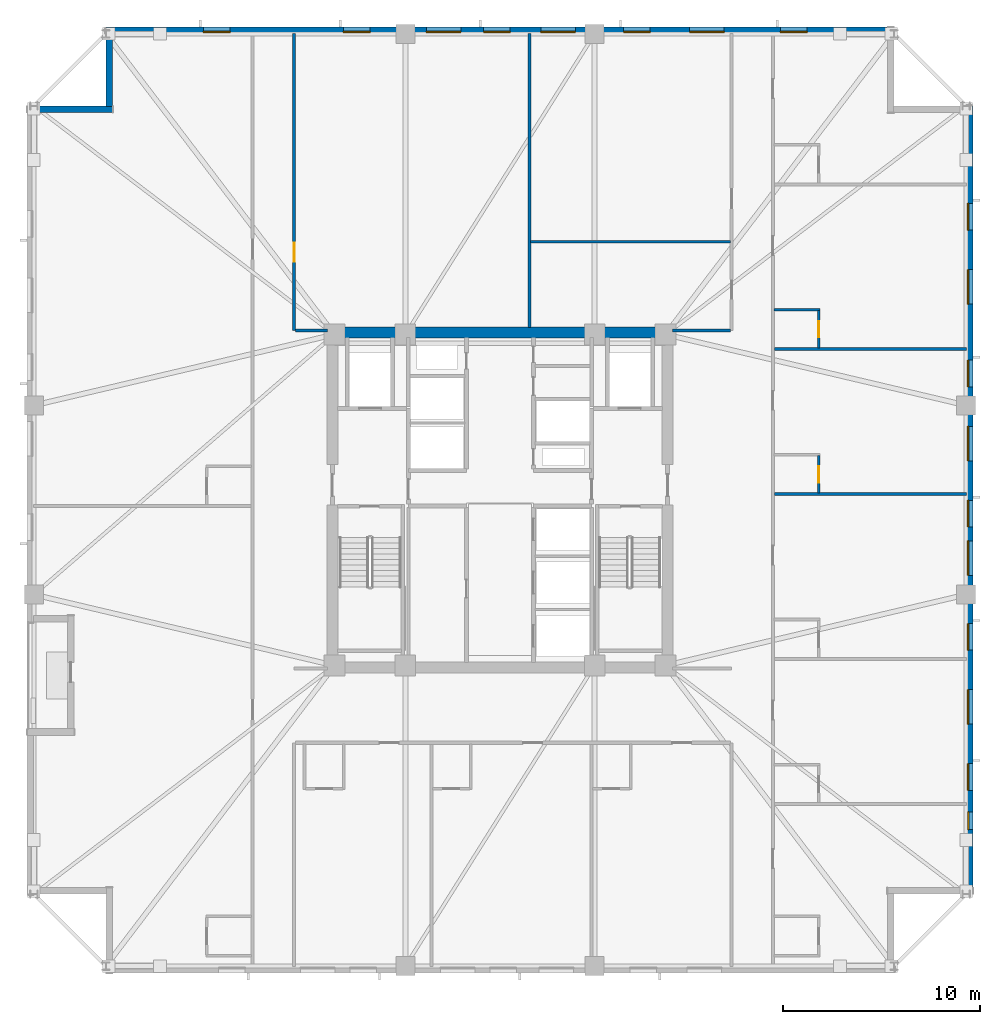
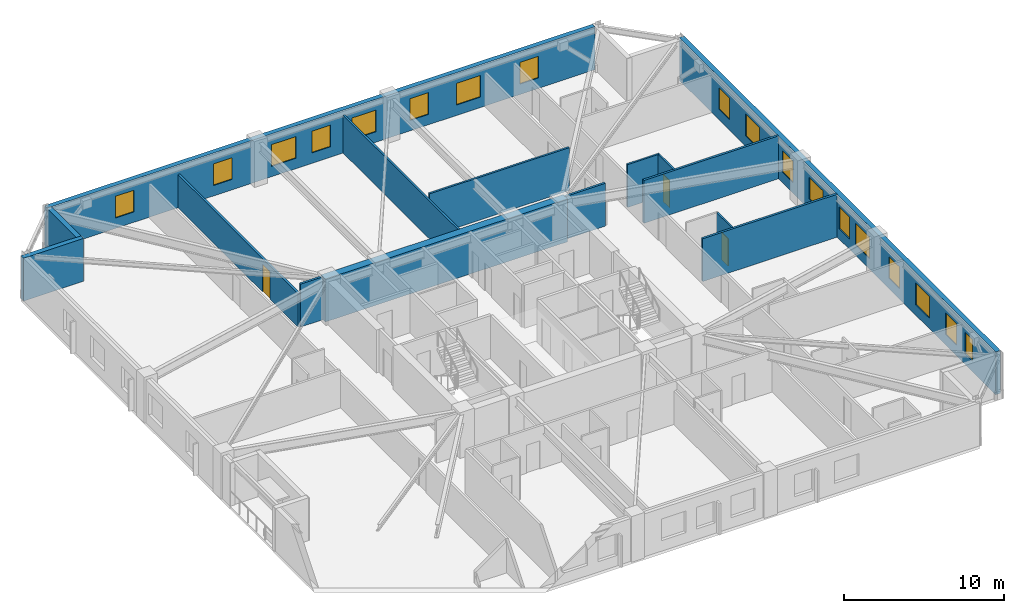
# One storey, part 5 of 11: 18 windows, 15 walls, 3 doors, 21 openings.
"""IFC4 building model written with IfcOpenShell, lengths in metres."""

from ifc_helpers import new_model, si_unit, direction, frame, frame_2d, origin, place, context, subcontext, project, spatial, rectangle, extrude, material, layer, layer_set, type_object, element, fill, save


model = new_model("IFC4")

# Units and contexts
model_context = context("Model", 3, precision=1e-05, world=origin(), true_north=direction((0.0, 1.0)))
body_context = subcontext(model_context, "Body", "Model", "MODEL_VIEW")
ifc_project = project(units=[si_unit("LENGTHUNIT", "METRE"), si_unit("AREAUNIT", "SQUARE_METRE"), si_unit("VOLUMEUNIT", "CUBIC_METRE"), si_unit("PLANEANGLEUNIT", "RADIAN"), si_unit("MASSUNIT", "GRAM", prefix="KILO")], contexts=[model_context])

# Site, building, storey
site_placement = place(None, origin())
site = spatial("IfcSite", under=ifc_project, at=site_placement, CompositionType="ELEMENT")
building_placement = place(site_placement, origin())
building = spatial("IfcBuilding", under=site, at=building_placement, Name="Cairnveth Concourse Tower", CompositionType="ELEMENT")
storey_placement = place(building_placement, frame((0.0, 0.0, 134.0)))
storey = spatial("IfcBuildingStorey", under=building, at=storey_placement, Name="L36", CompositionType="ELEMENT", Elevation=134.0)

# Wall, opening, door
ifc_material_1 = material(Name="Gypsum Plasterboard Partition", Category="gypsum")
ifc_layer_1 = layer(ifc_material_1, 0.159912109375)
ifc_layer_set_1 = layer_set([ifc_layer_1], Name="Gypsum Plasterboard Partition")
wall_type_1 = type_object("IfcWallType", Name="ACOUSTIC PARTY WALL 180", PredefinedType="PARTITIONING", material=ifc_layer_set_1)
wall_1_placement = place(storey_placement, frame((41.550048828125, 47.60009765625, 0.0), z_axis=(0.0, 0.0, 1.0), x_axis=(0.0, 1.0, 0.0)))
wall_1 = element("IfcWall", 1, at=wall_1_placement, inside=storey, type_object=wall_type_1, Name="Interior Wall IW-L36-038", PredefinedType="PARTITIONING", context=body_context, shape_type="SweptSolid", body=[
    extrude(rectangle(XDim=15.074951171875, YDim=0.159912109375, at=frame_2d((7.53759765625, 0.0))), origin(), (0.0, 0.0, 1.0), 2.554931640625),
])
opening_1_placement = place(wall_1_placement, frame((3.5, 0.0, 0.0)))
opening_1 = element("IfcOpeningElement", 2, at=opening_1_placement, cuts=wall_1, Name="Opening ID11", PredefinedType="OPENING", context=body_context, shape_type="SweptSolid", body=[
    extrude(rectangle(XDim=0.9599609375, YDim=2.1201171875, at=frame_2d((0.47998046875, 1.06005859375))), frame((0.0, 0.08984375, 0.0), z_axis=(0.0, -1.0, 0.0), x_axis=(1.0, 0.0, 0.0)), (0.0, 0.0, 1.0), 0.179931640625),
])
ifc_material_2 = material(Name="Solid Core Hardwood Timber Leaf", Category="wood")
door_type_1 = type_object("IfcDoorType", Name="INTERIOR SINGLE DOOR 960X2150", OperationType="NOTDEFINED", PredefinedType="DOOR", material=ifc_material_2)
door_1_placement = place(opening_1_placement, origin())
door_1 = element("IfcDoor", 3, at=door_1_placement, inside=storey, type_object=door_type_1, Name="Interior Door DR-L36-015", OperationType="SINGLE_SWING_LEFT", OverallHeight=2.1201171875, OverallWidth=0.9599609375, PredefinedType="DOOR", context=body_context, shape_type="SweptSolid", body=[
    extrude(rectangle(XDim=0.9599609375, YDim=2.1201171875, at=frame_2d((0.47998046875, 1.06005859375))), frame((0.0, 0.02490234375, 0.0), z_axis=(0.0, -1.0, 0.0), x_axis=(1.0, 0.0, 0.0)), (0.0, 0.0, 1.0), 0.050048828125),
])
fill(opening_1, door_1)

# Walls
wall_2_placement = place(storey_placement, frame((41.614990234375, 47.60009765625, 0.0), z_axis=(0.0, 0.0, 1.0), x_axis=(1.0, 0.0, 0.0)))
element("IfcWall", 4, at=wall_2_placement, inside=storey, type_object=wall_type_1, Name="Interior Wall IW-L36-040", PredefinedType="PARTITIONING", context=body_context, shape_type="SweptSolid", body=[
    extrude(rectangle(XDim=1.6201171875, YDim=0.159912109375, at=frame_2d((0.81005859375, 0.0))), origin(), (0.0, 0.0, 1.0), 3.280029296875),
])
wall_3_placement = place(storey_placement, frame((60.764892578125, 47.60009765625, 0.0), z_axis=(0.0, 0.0, 1.0), x_axis=(1.0, 0.0, 0.0)))
element("IfcWall", 5, at=wall_3_placement, inside=storey, type_object=wall_type_1, Name="Interior Wall IW-L36-045", PredefinedType="PARTITIONING", context=body_context, shape_type="SweptSolid", body=[
    extrude(rectangle(XDim=2.920166015625, YDim=0.159912109375, at=frame_2d((1.4599609375, 0.0))), origin(), (0.0, 0.0, 1.0), 3.280029296875),
])
for number, where, z_axis, x_axis, name in (
    (6, (65.929931640625, 39.295654296875, 0.0), (0.0, 0.0, 1.0), (1.0, 0.0, 0.0), "Interior Wall IW-L36-073"),
    (7, (65.929931640625, 46.6552734375, 0.0), (0.0, 0.0, 1.0), (1.0, 0.0, 0.0), "Interior Wall IW-L36-076"),
):
    element("IfcWall", number, at=place(storey_placement, frame(where, z_axis=z_axis, x_axis=x_axis)), inside=storey, type_object=wall_type_1, Name=name, PredefinedType="PARTITIONING", context=body_context, shape_type="SweptSolid", body=[
        extrude(rectangle(XDim=9.7451171875, YDim=0.159912109375, at=frame_2d((4.87255859375, 0.0))), origin(), (0.0, 0.0, 1.0), 3.280029296875),
    ])
ifc_material_3 = material(Name="Concrete N80 (80 MPa)", Category="concrete")
ifc_layer_2 = layer(ifc_material_3, 0.550048828125)
ifc_layer_set_2 = layer_set([ifc_layer_2], Name="Concrete N80 (80 MPa)")
wall_type_2 = type_object("IfcWallType", Name="CORE SHEAR WALL 550", PredefinedType="SHEAR", material=ifc_layer_set_2)
wall_4_placement = place(storey_placement, frame((43.22509765625, 47.5, 0.0), z_axis=(0.0, 0.0, 1.0), x_axis=(1.0, 0.0, 0.0)))
element("IfcWall", 8, at=wall_4_placement, inside=storey, type_object=wall_type_2, Name="Core North Shear Wall L36", PredefinedType="SHEAR", context=body_context, shape_type="SweptSolid", body=[
    extrude(rectangle(XDim=17.5498046875, YDim=0.550048828125, at=frame_2d((8.77490234375, 0.0))), origin(), (0.0, 0.0, 1.0), 3.280029296875),
])
ifc_layer_3 = layer(ifc_material_1, 0.139892578125)
ifc_layer_set_3 = layer_set([ifc_layer_3], Name="Gypsum Plasterboard Partition")
wall_type_3 = type_object("IfcWallType", Name="GYPSUM STUD PARTITION 140", PredefinedType="PARTITIONING", material=ifc_layer_set_3)
wall_5_placement = place(storey_placement, frame((53.5, 47.760009765625, 0.0), z_axis=(0.0, 0.0, 1.0), x_axis=(0.0, 1.0, 0.0)))
element("IfcWall", 9, at=wall_5_placement, inside=storey, type_object=wall_type_3, Name="Interior Wall IW-L36-047", PredefinedType="PARTITIONING", context=body_context, shape_type="SweptSolid", body=[
    extrude(rectangle(XDim=14.9150390625, YDim=0.139892578125, at=frame_2d((7.45751953125, 0.0))), origin(), (0.0, 0.0, 1.0), 2.89599609375),
])
wall_6_placement = place(storey_placement, frame((53.554931640625, 52.10009765625, 0.0), z_axis=(0.0, 0.0, 1.0), x_axis=(1.0, 0.0, 0.0)))
element("IfcWall", 10, at=wall_6_placement, inside=storey, type_object=wall_type_3, Name="Interior Wall IW-L36-048", PredefinedType="PARTITIONING", context=body_context, shape_type="SweptSolid", body=[
    extrude(rectangle(XDim=10.130126953125, YDim=0.139892578125, at=frame_2d((5.06494140625, 0.0))), origin(), (0.0, 0.0, 1.0), 3.280029296875),
])

# Wall, opening, door
ifc_layer_4 = layer(ifc_material_1, 0.1298828125)
ifc_layer_set_4 = layer_set([ifc_layer_4], Name="Gypsum Plasterboard Partition")
wall_type_4 = type_object("IfcWallType", Name="WET AREA PARTITION 140", PredefinedType="PLUMBINGWALL", material=ifc_layer_set_4)
wall_7_placement = place(storey_placement, frame((68.179931640625, 39.360595703125, 0.0), z_axis=(0.0, 0.0, 1.0), x_axis=(0.0, 1.0, 0.0)))
wall_7 = element("IfcWall", 11, at=wall_7_placement, inside=storey, type_object=wall_type_4, Name="Interior Wall IW-L36-075", PredefinedType="PLUMBINGWALL", context=body_context, shape_type="SweptSolid", body=[
    extrude(rectangle(XDim=1.885009765625, YDim=0.1298828125, at=frame_2d((0.9423828125, 0.0))), origin(), (0.0, 0.0, 1.0), 3.280029296875),
])
opening_2_placement = place(wall_7_placement, frame((0.52490234375, 0.0, 0.0)))
opening_2 = element("IfcOpeningElement", 12, at=opening_2_placement, cuts=wall_7, Name="Opening ID22", PredefinedType="OPENING", context=body_context, shape_type="SweptSolid", body=[
    extrude(rectangle(XDim=0.820068359375, YDim=2.10009765625, at=frame_2d((0.41015625, 1.050048828125))), frame((0.0, 0.074951171875, 0.0), z_axis=(0.0, -1.0, 0.0), x_axis=(1.0, 0.0, 0.0)), (0.0, 0.0, 1.0), 0.14990234375),
])
door_type_2 = type_object("IfcDoorType", Name="INTERIOR WC DOOR 820X2100", OperationType="NOTDEFINED", PredefinedType="DOOR", material=ifc_material_2)
door_2_placement = place(opening_2_placement, origin())
door_2 = element("IfcDoor", 13, at=door_2_placement, inside=storey, type_object=door_type_2, Name="En-Suite Door L36-E4", OperationType="SINGLE_SWING_RIGHT", OverallHeight=2.10009765625, OverallWidth=0.820068359375, PredefinedType="DOOR", context=body_context, shape_type="SweptSolid", body=[
    extrude(rectangle(XDim=0.820068359375, YDim=2.10009765625, at=frame_2d((0.41015625, 1.050048828125))), frame((0.0, 0.02490234375, 0.0), z_axis=(0.0, -1.0, 0.0), x_axis=(1.0, 0.0, 0.0)), (0.0, 0.0, 1.0), 0.050048828125),
])
fill(opening_2, door_2)

# Wall
wall_8_placement = place(storey_placement, frame((65.9150390625, 48.6552734375, 0.0), z_axis=(0.0, 0.0, 1.0), x_axis=(1.0, 0.0, 0.0)))
element("IfcWall", 14, at=wall_8_placement, inside=storey, type_object=wall_type_4, Name="Interior Wall IW-L36-077", PredefinedType="PLUMBINGWALL", context=body_context, shape_type="SweptSolid", body=[
    extrude(rectangle(XDim=2.31494140625, YDim=0.1298828125, at=frame_2d((1.157470703125, 0.0))), origin(), (0.0, 0.0, 1.0), 3.280029296875),
])

# Wall, opening, door
wall_9_placement = place(storey_placement, frame((68.179931640625, 46.72021484375, 0.0), z_axis=(0.0, 0.0, 1.0), x_axis=(0.0, 1.0, 0.0)))
wall_9 = element("IfcWall", 15, at=wall_9_placement, inside=storey, type_object=wall_type_4, Name="Interior Wall IW-L36-078", PredefinedType="PLUMBINGWALL", context=body_context, shape_type="SweptSolid", body=[
    extrude(rectangle(XDim=1.885009765625, YDim=0.1298828125, at=frame_2d((0.9423828125, 0.0))), origin(), (0.0, 0.0, 1.0), 3.280029296875),
])
opening_3_placement = place(wall_9_placement, frame((0.52490234375, 0.0, 0.0)))
opening_3 = element("IfcOpeningElement", 16, at=opening_3_placement, cuts=wall_9, Name="Opening ID22", PredefinedType="OPENING", context=body_context, shape_type="SweptSolid", body=[
    extrude(rectangle(XDim=0.820068359375, YDim=2.10009765625, at=frame_2d((0.41015625, 1.050048828125))), frame((0.0, 0.074951171875, 0.0), z_axis=(0.0, -1.0, 0.0), x_axis=(1.0, 0.0, 0.0)), (0.0, 0.0, 1.0), 0.14990234375),
])
door_3_placement = place(opening_3_placement, origin())
door_3 = element("IfcDoor", 17, at=door_3_placement, inside=storey, type_object=door_type_2, Name="En-Suite Door L36-E5", OperationType="SINGLE_SWING_RIGHT", OverallHeight=2.10009765625, OverallWidth=0.820068359375, PredefinedType="DOOR", context=body_context, shape_type="SweptSolid", body=[
    extrude(rectangle(XDim=0.820068359375, YDim=2.10009765625, at=frame_2d((0.41015625, 1.050048828125))), frame((0.0, 0.02490234375, 0.0), z_axis=(0.0, -1.0, 0.0), x_axis=(1.0, 0.0, 0.0)), (0.0, 0.0, 1.0), 0.050048828125),
])
fill(opening_3, door_3)

# Walls
ifc_material_4 = material(Name="Hawthorn Red-Ochre Fired Clay Brick Masonry", Category="masonry")
ifc_layer_5 = layer(ifc_material_4, 0.340087890625)
ifc_layer_set_5 = layer_set([ifc_layer_5], Name="Hawthorn Red-Ochre Fired Clay Brick Masonry")
wall_type_5 = type_object("IfcWallType", Name="ZONE 2 BRICK PIER SPANDREL WALL 340", PredefinedType="SOLIDWALL", material=ifc_layer_set_5)
wall_10_placement = place(storey_placement, frame((28.0, 58.830078125, 0.0), z_axis=(0.0, 0.0, 1.0), x_axis=(1.0, 0.0, 0.0)))
element("IfcWall", 18, at=wall_10_placement, inside=storey, type_object=wall_type_5, Name="Exterior Wall EW-L36-S01", PredefinedType="SOLIDWALL", context=body_context, shape_type="SweptSolid", body=[
    extrude(rectangle(XDim=4.340087890625, YDim=0.340087890625, at=frame_2d((2.169921875, 0.0))), origin(), (0.0, 0.0, 1.0), 3.280029296875),
])
wall_11_placement = place(storey_placement, frame((32.169921875, 58.97802734375, 0.0), z_axis=(0.0, 0.0, 1.0), x_axis=(0.0, 1.0, 0.0)))
element("IfcWall", 19, at=wall_11_placement, inside=storey, type_object=wall_type_5, Name="Exterior Wall EW-L36-S02", PredefinedType="SOLIDWALL", context=body_context, shape_type="SweptSolid", body=[
    extrude(rectangle(XDim=3.703857421875, YDim=0.340087890625, at=frame_2d((1.85205078125, 0.0))), origin(), (0.0, 0.0, 1.0), 3.280029296875),
])

# Wall, openings, windows
wall_12_placement = place(storey_placement, frame((32.0, 62.830078125, 0.0), z_axis=(0.0, 0.0, 1.0), x_axis=(1.0, 0.0, 0.0)))
wall_12 = element("IfcWall", 20, at=wall_12_placement, inside=storey, type_object=wall_type_5, Name="Exterior Wall EW-L36-S03", PredefinedType="SOLIDWALL", context=body_context, shape_type="SweptSolid", body=[
    extrude(rectangle(XDim=39.681884765625, YDim=0.340087890625, at=frame_2d((19.8408203125, 0.0))), origin(), (0.0, 0.0, 1.0), 3.280029296875),
])
opening_4_placement = place(wall_12_placement, frame((4.951904296875, 0.0, 0.800048828125)))
opening_4 = element("IfcOpeningElement", 21, at=opening_4_placement, cuts=wall_12, Name="Opening W02", PredefinedType="OPENING", context=body_context, shape_type="SweptSolid", body=[
    extrude(rectangle(XDim=1.35009765625, YDim=1.659912109375, at=frame_2d((0.675048828125, 0.830078125))), frame((0.0, 0.179931640625, 0.0), z_axis=(0.0, -1.0, 0.0), x_axis=(1.0, 0.0, 0.0)), (0.0, 0.0, 1.0), 0.360107421875),
])
opening_5_placement = place(wall_12_placement, frame((12.058837890625, 0.0, 0.800048828125)))
opening_5 = element("IfcOpeningElement", 22, at=opening_5_placement, cuts=wall_12, Name="Opening W02", PredefinedType="OPENING", context=body_context, shape_type="SweptSolid", body=[
    extrude(rectangle(XDim=1.35009765625, YDim=1.659912109375, at=frame_2d((0.675048828125, 0.830078125))), frame((0.0, 0.179931640625, 0.0), z_axis=(0.0, -1.0, 0.0), x_axis=(1.0, 0.0, 0.0)), (0.0, 0.0, 1.0), 0.360107421875),
])
opening_6_placement = place(wall_12_placement, frame((16.262451171875, 0.0, 0.800048828125)))
opening_6 = element("IfcOpeningElement", 23, at=opening_6_placement, cuts=wall_12, Name="Opening W06", PredefinedType="OPENING", context=body_context, shape_type="SweptSolid", body=[
    extrude(rectangle(XDim=1.75, YDim=1.659912109375, at=frame_2d((0.875, 0.830078125))), frame((0.0, 0.179931640625, 0.0), z_axis=(0.0, -1.0, 0.0), x_axis=(1.0, 0.0, 0.0)), (0.0, 0.0, 1.0), 0.360107421875),
])
opening_7_placement = place(wall_12_placement, frame((19.166015625, 0.0, 0.800048828125)))
opening_7 = element("IfcOpeningElement", 24, at=opening_7_placement, cuts=wall_12, Name="Opening W02", PredefinedType="OPENING", context=body_context, shape_type="SweptSolid", body=[
    extrude(rectangle(XDim=1.35009765625, YDim=1.659912109375, at=frame_2d((0.675048828125, 0.830078125))), frame((0.0, 0.179931640625, 0.0), z_axis=(0.0, -1.0, 0.0), x_axis=(1.0, 0.0, 0.0)), (0.0, 0.0, 1.0), 0.360107421875),
])
opening_8_placement = place(wall_12_placement, frame((22.069580078125, 0.0, 0.800048828125)))
opening_8 = element("IfcOpeningElement", 25, at=opening_8_placement, cuts=wall_12, Name="Opening W06", PredefinedType="OPENING", context=body_context, shape_type="SweptSolid", body=[
    extrude(rectangle(XDim=1.75, YDim=1.659912109375, at=frame_2d((0.875, 0.830078125))), frame((0.0, 0.179931640625, 0.0), z_axis=(0.0, -1.0, 0.0), x_axis=(1.0, 0.0, 0.0)), (0.0, 0.0, 1.0), 0.360107421875),
])
opening_9_placement = place(wall_12_placement, frame((26.273193359375, 0.0, 0.800048828125)))
opening_9 = element("IfcOpeningElement", 26, at=opening_9_placement, cuts=wall_12, Name="Opening W02", PredefinedType="OPENING", context=body_context, shape_type="SweptSolid", body=[
    extrude(rectangle(XDim=1.35009765625, YDim=1.659912109375, at=frame_2d((0.675048828125, 0.830078125))), frame((0.0, 0.179931640625, 0.0), z_axis=(0.0, -1.0, 0.0), x_axis=(1.0, 0.0, 0.0)), (0.0, 0.0, 1.0), 0.360107421875),
])
opening_10_placement = place(wall_12_placement, frame((29.626708984375, 0.0, 0.800048828125)))
opening_10 = element("IfcOpeningElement", 27, at=opening_10_placement, cuts=wall_12, Name="Opening W06", PredefinedType="OPENING", context=body_context, shape_type="SweptSolid", body=[
    extrude(rectangle(XDim=1.75, YDim=1.659912109375, at=frame_2d((0.875, 0.830078125))), frame((0.0, 0.179931640625, 0.0), z_axis=(0.0, -1.0, 0.0), x_axis=(1.0, 0.0, 0.0)), (0.0, 0.0, 1.0), 0.360107421875),
])
opening_11_placement = place(wall_12_placement, frame((34.230224609375, 0.0, 0.800048828125)))
opening_11 = element("IfcOpeningElement", 28, at=opening_11_placement, cuts=wall_12, Name="Opening W02", PredefinedType="OPENING", context=body_context, shape_type="SweptSolid", body=[
    extrude(rectangle(XDim=1.35009765625, YDim=1.659912109375, at=frame_2d((0.675048828125, 0.830078125))), frame((0.0, 0.179931640625, 0.0), z_axis=(0.0, -1.0, 0.0), x_axis=(1.0, 0.0, 0.0)), (0.0, 0.0, 1.0), 0.360107421875),
])
ifc_material_5 = material(Name="Double Glazed Low-E Clear Glass", Category="glass")
window_type_1 = type_object("IfcWindowType", Name="DEEP-SET GOTHIC LANCET WINDOW 1350X1800", PartitioningType="DOUBLE_PANEL_VERTICAL", PredefinedType="WINDOW", material=ifc_material_5)
window_1_placement = place(opening_4_placement, origin())
window_1 = element("IfcWindow", 29, at=window_1_placement, inside=storey, type_object=window_type_1, Name="Gothic Lancet Window L36-3-1", OverallHeight=1.659912109375, OverallWidth=1.35009765625, PartitioningType="SINGLE_PANEL", PredefinedType="WINDOW", context=body_context, shape_type="SweptSolid", body=[
    extrude(rectangle(XDim=1.35009765625, YDim=1.659912109375, at=frame_2d((0.675048828125, 0.830078125))), frame((0.0, -0.050048828125, 0.0), z_axis=(0.0, -1.0, 0.0), x_axis=(1.0, 0.0, 0.0)), (0.0, 0.0, 1.0), 0.06005859375),
])
fill(opening_4, window_1)
window_2_placement = place(opening_5_placement, origin())
window_2 = element("IfcWindow", 30, at=window_2_placement, inside=storey, type_object=window_type_1, Name="Gothic Lancet Window L36-3-3", OverallHeight=1.659912109375, OverallWidth=1.35009765625, PartitioningType="SINGLE_PANEL", PredefinedType="WINDOW", context=body_context, shape_type="SweptSolid", body=[
    extrude(rectangle(XDim=1.35009765625, YDim=1.659912109375, at=frame_2d((0.675048828125, 0.830078125))), frame((0.0, -0.050048828125, 0.0), z_axis=(0.0, -1.0, 0.0), x_axis=(1.0, 0.0, 0.0)), (0.0, 0.0, 1.0), 0.06005859375),
])
fill(opening_5, window_2)
window_3_placement = place(opening_7_placement, origin())
window_3 = element("IfcWindow", 31, at=window_3_placement, inside=storey, type_object=window_type_1, Name="Gothic Lancet Window L36-3-5", OverallHeight=1.659912109375, OverallWidth=1.35009765625, PartitioningType="SINGLE_PANEL", PredefinedType="WINDOW", context=body_context, shape_type="SweptSolid", body=[
    extrude(rectangle(XDim=1.35009765625, YDim=1.659912109375, at=frame_2d((0.675048828125, 0.830078125))), frame((0.0, -0.050048828125, 0.0), z_axis=(0.0, -1.0, 0.0), x_axis=(1.0, 0.0, 0.0)), (0.0, 0.0, 1.0), 0.06005859375),
])
fill(opening_7, window_3)
window_4_placement = place(opening_9_placement, origin())
window_4 = element("IfcWindow", 32, at=window_4_placement, inside=storey, type_object=window_type_1, Name="Gothic Lancet Window L36-3-7", OverallHeight=1.659912109375, OverallWidth=1.35009765625, PartitioningType="SINGLE_PANEL", PredefinedType="WINDOW", context=body_context, shape_type="SweptSolid", body=[
    extrude(rectangle(XDim=1.35009765625, YDim=1.659912109375, at=frame_2d((0.675048828125, 0.830078125))), frame((0.0, -0.050048828125, 0.0), z_axis=(0.0, -1.0, 0.0), x_axis=(1.0, 0.0, 0.0)), (0.0, 0.0, 1.0), 0.06005859375),
])
fill(opening_9, window_4)
window_5_placement = place(opening_11_placement, origin())
window_5 = element("IfcWindow", 33, at=window_5_placement, inside=storey, type_object=window_type_1, Name="Gothic Lancet Window L36-3-9", OverallHeight=1.659912109375, OverallWidth=1.35009765625, PartitioningType="SINGLE_PANEL", PredefinedType="WINDOW", context=body_context, shape_type="SweptSolid", body=[
    extrude(rectangle(XDim=1.35009765625, YDim=1.659912109375, at=frame_2d((0.675048828125, 0.830078125))), frame((0.0, -0.050048828125, 0.0), z_axis=(0.0, -1.0, 0.0), x_axis=(1.0, 0.0, 0.0)), (0.0, 0.0, 1.0), 0.06005859375),
])
fill(opening_11, window_5)
window_type_2 = type_object("IfcWindowType", Name="DEEP-SET HOTEL SUITE WINDOW 1750X1800", PartitioningType="DOUBLE_PANEL_VERTICAL", PredefinedType="WINDOW", material=ifc_material_5)
window_6_placement = place(opening_6_placement, origin())
window_6 = element("IfcWindow", 34, at=window_6_placement, inside=storey, type_object=window_type_2, Name="Gothic Lancet Window L36-3-4", OverallHeight=1.659912109375, OverallWidth=1.75, PartitioningType="SINGLE_PANEL", PredefinedType="WINDOW", context=body_context, shape_type="SweptSolid", body=[
    extrude(rectangle(XDim=1.75, YDim=1.659912109375, at=frame_2d((0.875, 0.830078125))), frame((0.0, -0.050048828125, 0.0), z_axis=(0.0, -1.0, 0.0), x_axis=(1.0, 0.0, 0.0)), (0.0, 0.0, 1.0), 0.06005859375),
])
fill(opening_6, window_6)
window_7_placement = place(opening_8_placement, origin())
window_7 = element("IfcWindow", 35, at=window_7_placement, inside=storey, type_object=window_type_2, Name="Gothic Lancet Window L36-3-6", OverallHeight=1.659912109375, OverallWidth=1.75, PartitioningType="SINGLE_PANEL", PredefinedType="WINDOW", context=body_context, shape_type="SweptSolid", body=[
    extrude(rectangle(XDim=1.75, YDim=1.659912109375, at=frame_2d((0.875, 0.830078125))), frame((0.0, -0.050048828125, 0.0), z_axis=(0.0, -1.0, 0.0), x_axis=(1.0, 0.0, 0.0)), (0.0, 0.0, 1.0), 0.06005859375),
])
fill(opening_8, window_7)
window_8_placement = place(opening_10_placement, origin())
window_8 = element("IfcWindow", 36, at=window_8_placement, inside=storey, type_object=window_type_2, Name="Gothic Lancet Window L36-3-8", OverallHeight=1.659912109375, OverallWidth=1.75, PartitioningType="SINGLE_PANEL", PredefinedType="WINDOW", context=body_context, shape_type="SweptSolid", body=[
    extrude(rectangle(XDim=1.75, YDim=1.659912109375, at=frame_2d((0.875, 0.830078125))), frame((0.0, -0.050048828125, 0.0), z_axis=(0.0, -1.0, 0.0), x_axis=(1.0, 0.0, 0.0)), (0.0, 0.0, 1.0), 0.06005859375),
])
fill(opening_10, window_8)

wall_13_placement = place(storey_placement, frame((75.830078125, 59.0, 0.0), z_axis=(0.0, 0.0, 1.0), x_axis=(0.0, -1.0, 0.0)))
wall_13 = element("IfcWall", 37, at=wall_13_placement, inside=storey, type_object=wall_type_5, Name="Exterior Wall EW-L36-S06", PredefinedType="SOLIDWALL", context=body_context, shape_type="SweptSolid", body=[
    extrude(rectangle(XDim=39.681884765625, YDim=0.340087890625, at=frame_2d((19.8408203125, 0.0))), origin(), (0.0, 0.0, 1.0), 3.280029296875),
])
opening_12_placement = place(wall_13_placement, frame((4.951904296875, 0.0, 0.800048828125)))
opening_12 = element("IfcOpeningElement", 38, at=opening_12_placement, cuts=wall_13, Name="Opening W02", PredefinedType="OPENING", context=body_context, shape_type="SweptSolid", body=[
    extrude(rectangle(XDim=1.35009765625, YDim=1.659912109375, at=frame_2d((0.675048828125, 0.830078125))), frame((0.0, 0.179931640625, 0.0), z_axis=(0.0, -1.0, 0.0), x_axis=(1.0, 0.0, 0.0)), (0.0, 0.0, 1.0), 0.360107421875),
])
opening_13_placement = place(wall_13_placement, frame((8.305419921875, 0.0, 0.800048828125)))
opening_13 = element("IfcOpeningElement", 39, at=opening_13_placement, cuts=wall_13, Name="Opening W06", PredefinedType="OPENING", context=body_context, shape_type="SweptSolid", body=[
    extrude(rectangle(XDim=1.75, YDim=1.659912109375, at=frame_2d((0.875, 0.830078125))), frame((0.0, 0.179931640625, 0.0), z_axis=(0.0, -1.0, 0.0), x_axis=(1.0, 0.0, 0.0)), (0.0, 0.0, 1.0), 0.360107421875),
])
opening_14_placement = place(wall_13_placement, frame((12.908935546875, 0.0, 0.800048828125)))
opening_14 = element("IfcOpeningElement", 40, at=opening_14_placement, cuts=wall_13, Name="Opening W02", PredefinedType="OPENING", context=body_context, shape_type="SweptSolid", body=[
    extrude(rectangle(XDim=1.35009765625, YDim=1.659912109375, at=frame_2d((0.675048828125, 0.830078125))), frame((0.0, 0.179931640625, 0.0), z_axis=(0.0, -1.0, 0.0), x_axis=(1.0, 0.0, 0.0)), (0.0, 0.0, 1.0), 0.360107421875),
])
opening_15_placement = place(wall_13_placement, frame((16.262451171875, 0.0, 0.800048828125)))
opening_15 = element("IfcOpeningElement", 41, at=opening_15_placement, cuts=wall_13, Name="Opening W06", PredefinedType="OPENING", context=body_context, shape_type="SweptSolid", body=[
    extrude(rectangle(XDim=1.75, YDim=1.659912109375, at=frame_2d((0.875, 0.830078125))), frame((0.0, 0.179931640625, 0.0), z_axis=(0.0, -1.0, 0.0), x_axis=(1.0, 0.0, 0.0)), (0.0, 0.0, 1.0), 0.360107421875),
])
opening_16_placement = place(wall_13_placement, frame((20.01611328125, 0.0, 0.800048828125)))
opening_16 = element("IfcOpeningElement", 42, at=opening_16_placement, cuts=wall_13, Name="Opening W02", PredefinedType="OPENING", context=body_context, shape_type="SweptSolid", body=[
    extrude(rectangle(XDim=1.35009765625, YDim=1.659912109375, at=frame_2d((0.675048828125, 0.830078125))), frame((0.0, 0.179931640625, 0.0), z_axis=(0.0, -1.0, 0.0), x_axis=(1.0, 0.0, 0.0)), (0.0, 0.0, 1.0), 0.360107421875),
])
opening_17_placement = place(wall_13_placement, frame((22.069580078125, 0.0, 0.800048828125)))
opening_17 = element("IfcOpeningElement", 43, at=opening_17_placement, cuts=wall_13, Name="Opening W06", PredefinedType="OPENING", context=body_context, shape_type="SweptSolid", body=[
    extrude(rectangle(XDim=1.75, YDim=1.659912109375, at=frame_2d((0.875, 0.830078125))), frame((0.0, 0.179931640625, 0.0), z_axis=(0.0, -1.0, 0.0), x_axis=(1.0, 0.0, 0.0)), (0.0, 0.0, 1.0), 0.360107421875),
])
opening_18_placement = place(wall_13_placement, frame((26.273193359375, 0.0, 0.800048828125)))
opening_18 = element("IfcOpeningElement", 44, at=opening_18_placement, cuts=wall_13, Name="Opening W02", PredefinedType="OPENING", context=body_context, shape_type="SweptSolid", body=[
    extrude(rectangle(XDim=1.35009765625, YDim=1.659912109375, at=frame_2d((0.675048828125, 0.830078125))), frame((0.0, 0.179931640625, 0.0), z_axis=(0.0, -1.0, 0.0), x_axis=(1.0, 0.0, 0.0)), (0.0, 0.0, 1.0), 0.360107421875),
])
opening_19_placement = place(wall_13_placement, frame((29.626708984375, 0.0, 0.800048828125)))
opening_19 = element("IfcOpeningElement", 45, at=opening_19_placement, cuts=wall_13, Name="Opening W06", PredefinedType="OPENING", context=body_context, shape_type="SweptSolid", body=[
    extrude(rectangle(XDim=1.75, YDim=1.659912109375, at=frame_2d((0.875, 0.830078125))), frame((0.0, 0.179931640625, 0.0), z_axis=(0.0, -1.0, 0.0), x_axis=(1.0, 0.0, 0.0)), (0.0, 0.0, 1.0), 0.360107421875),
])
opening_20_placement = place(wall_13_placement, frame((33.380126953125, 0.0, 0.800048828125)))
opening_20 = element("IfcOpeningElement", 46, at=opening_20_placement, cuts=wall_13, Name="Opening W02", PredefinedType="OPENING", context=body_context, shape_type="SweptSolid", body=[
    extrude(rectangle(XDim=1.35009765625, YDim=1.659912109375, at=frame_2d((0.675048828125, 0.830078125))), frame((0.0, 0.179931640625, 0.0), z_axis=(0.0, -1.0, 0.0), x_axis=(1.0, 0.0, 0.0)), (0.0, 0.0, 1.0), 0.360107421875),
])
opening_21_placement = place(wall_13_placement, frame((35.830078125, 0.0, 0.800048828125)))
opening_21 = element("IfcOpeningElement", 47, at=opening_21_placement, cuts=wall_13, Name="Opening W13", PredefinedType="OPENING", context=body_context, shape_type="SweptSolid", body=[
    extrude(rectangle(XDim=0.89990234375, YDim=1.659912109375, at=frame_2d((0.449951171875, 0.830078125))), frame((0.0, 0.179931640625, 0.0), z_axis=(0.0, -1.0, 0.0), x_axis=(1.0, 0.0, 0.0)), (0.0, 0.0, 1.0), 0.360107421875),
])
window_type_3 = type_object("IfcWindowType", Name="DEEP-SET BEDROOM LANCET WINDOW 900X1750", PartitioningType="DOUBLE_PANEL_VERTICAL", PredefinedType="WINDOW", material=ifc_material_5)
window_9_placement = place(opening_21_placement, origin())
window_9 = element("IfcWindow", 48, at=window_9_placement, inside=storey, type_object=window_type_3, Name="Dwelling Lancet Window L36-DW1", OverallHeight=1.659912109375, OverallWidth=0.89990234375, PartitioningType="SINGLE_PANEL", PredefinedType="WINDOW", context=body_context, shape_type="SweptSolid", body=[
    extrude(rectangle(XDim=0.89990234375, YDim=1.659912109375, at=frame_2d((0.449951171875, 0.830078125))), frame((0.0, -0.0400390625, 0.0), z_axis=(0.0, -1.0, 0.0), x_axis=(1.0, 0.0, 0.0)), (0.0, 0.0, 1.0), 0.06005859375),
])
fill(opening_21, window_9)
window_10_placement = place(opening_12_placement, origin())
window_10 = element("IfcWindow", 49, at=window_10_placement, inside=storey, type_object=window_type_1, Name="Gothic Lancet Window L36-6-1", OverallHeight=1.659912109375, OverallWidth=1.35009765625, PartitioningType="SINGLE_PANEL", PredefinedType="WINDOW", context=body_context, shape_type="SweptSolid", body=[
    extrude(rectangle(XDim=1.35009765625, YDim=1.659912109375, at=frame_2d((0.675048828125, 0.830078125))), frame((0.0, -0.050048828125, 0.0), z_axis=(0.0, -1.0, 0.0), x_axis=(1.0, 0.0, 0.0)), (0.0, 0.0, 1.0), 0.06005859375),
])
fill(opening_12, window_10)
window_11_placement = place(opening_14_placement, origin())
window_11 = element("IfcWindow", 50, at=window_11_placement, inside=storey, type_object=window_type_1, Name="Gothic Lancet Window L36-6-3", OverallHeight=1.659912109375, OverallWidth=1.35009765625, PartitioningType="SINGLE_PANEL", PredefinedType="WINDOW", context=body_context, shape_type="SweptSolid", body=[
    extrude(rectangle(XDim=1.35009765625, YDim=1.659912109375, at=frame_2d((0.675048828125, 0.830078125))), frame((0.0, -0.050048828125, 0.0), z_axis=(0.0, -1.0, 0.0), x_axis=(1.0, 0.0, 0.0)), (0.0, 0.0, 1.0), 0.06005859375),
])
fill(opening_14, window_11)
window_12_placement = place(opening_16_placement, origin())
window_12 = element("IfcWindow", 51, at=window_12_placement, inside=storey, type_object=window_type_1, Name="Gothic Lancet Window L36-6-5", OverallHeight=1.659912109375, OverallWidth=1.35009765625, PartitioningType="SINGLE_PANEL", PredefinedType="WINDOW", context=body_context, shape_type="SweptSolid", body=[
    extrude(rectangle(XDim=1.35009765625, YDim=1.659912109375, at=frame_2d((0.675048828125, 0.830078125))), frame((0.0, -0.050048828125, 0.0), z_axis=(0.0, -1.0, 0.0), x_axis=(1.0, 0.0, 0.0)), (0.0, 0.0, 1.0), 0.06005859375),
])
fill(opening_16, window_12)
window_13_placement = place(opening_18_placement, origin())
window_13 = element("IfcWindow", 52, at=window_13_placement, inside=storey, type_object=window_type_1, Name="Gothic Lancet Window L36-6-7", OverallHeight=1.659912109375, OverallWidth=1.35009765625, PartitioningType="SINGLE_PANEL", PredefinedType="WINDOW", context=body_context, shape_type="SweptSolid", body=[
    extrude(rectangle(XDim=1.35009765625, YDim=1.659912109375, at=frame_2d((0.675048828125, 0.830078125))), frame((0.0, -0.050048828125, 0.0), z_axis=(0.0, -1.0, 0.0), x_axis=(1.0, 0.0, 0.0)), (0.0, 0.0, 1.0), 0.06005859375),
])
fill(opening_18, window_13)
window_14_placement = place(opening_20_placement, origin())
window_14 = element("IfcWindow", 53, at=window_14_placement, inside=storey, type_object=window_type_1, Name="Gothic Lancet Window L36-6-9", OverallHeight=1.659912109375, OverallWidth=1.35009765625, PartitioningType="SINGLE_PANEL", PredefinedType="WINDOW", context=body_context, shape_type="SweptSolid", body=[
    extrude(rectangle(XDim=1.35009765625, YDim=1.659912109375, at=frame_2d((0.675048828125, 0.830078125))), frame((0.0, -0.050048828125, 0.0), z_axis=(0.0, -1.0, 0.0), x_axis=(1.0, 0.0, 0.0)), (0.0, 0.0, 1.0), 0.06005859375),
])
fill(opening_20, window_14)
window_15_placement = place(opening_13_placement, origin())
window_15 = element("IfcWindow", 54, at=window_15_placement, inside=storey, type_object=window_type_2, Name="Gothic Lancet Window L36-6-2", OverallHeight=1.659912109375, OverallWidth=1.75, PartitioningType="SINGLE_PANEL", PredefinedType="WINDOW", context=body_context, shape_type="SweptSolid", body=[
    extrude(rectangle(XDim=1.75, YDim=1.659912109375, at=frame_2d((0.875, 0.830078125))), frame((0.0, -0.050048828125, 0.0), z_axis=(0.0, -1.0, 0.0), x_axis=(1.0, 0.0, 0.0)), (0.0, 0.0, 1.0), 0.06005859375),
])
fill(opening_13, window_15)
window_16_placement = place(opening_15_placement, origin())
window_16 = element("IfcWindow", 55, at=window_16_placement, inside=storey, type_object=window_type_2, Name="Gothic Lancet Window L36-6-4", OverallHeight=1.659912109375, OverallWidth=1.75, PartitioningType="SINGLE_PANEL", PredefinedType="WINDOW", context=body_context, shape_type="SweptSolid", body=[
    extrude(rectangle(XDim=1.75, YDim=1.659912109375, at=frame_2d((0.875, 0.830078125))), frame((0.0, -0.050048828125, 0.0), z_axis=(0.0, -1.0, 0.0), x_axis=(1.0, 0.0, 0.0)), (0.0, 0.0, 1.0), 0.06005859375),
])
fill(opening_15, window_16)
window_17_placement = place(opening_17_placement, origin())
window_17 = element("IfcWindow", 56, at=window_17_placement, inside=storey, type_object=window_type_2, Name="Gothic Lancet Window L36-6-6", OverallHeight=1.659912109375, OverallWidth=1.75, PartitioningType="SINGLE_PANEL", PredefinedType="WINDOW", context=body_context, shape_type="SweptSolid", body=[
    extrude(rectangle(XDim=1.75, YDim=1.659912109375, at=frame_2d((0.875, 0.830078125))), frame((0.0, -0.050048828125, 0.0), z_axis=(0.0, -1.0, 0.0), x_axis=(1.0, 0.0, 0.0)), (0.0, 0.0, 1.0), 0.06005859375),
])
fill(opening_17, window_17)
window_18_placement = place(opening_19_placement, origin())
window_18 = element("IfcWindow", 57, at=window_18_placement, inside=storey, type_object=window_type_2, Name="Gothic Lancet Window L36-6-8", OverallHeight=1.659912109375, OverallWidth=1.75, PartitioningType="SINGLE_PANEL", PredefinedType="WINDOW", context=body_context, shape_type="SweptSolid", body=[
    extrude(rectangle(XDim=1.75, YDim=1.659912109375, at=frame_2d((0.875, 0.830078125))), frame((0.0, -0.050048828125, 0.0), z_axis=(0.0, -1.0, 0.0), x_axis=(1.0, 0.0, 0.0)), (0.0, 0.0, 1.0), 0.06005859375),
])
fill(opening_19, window_18)

save(model, "model.ifc")
